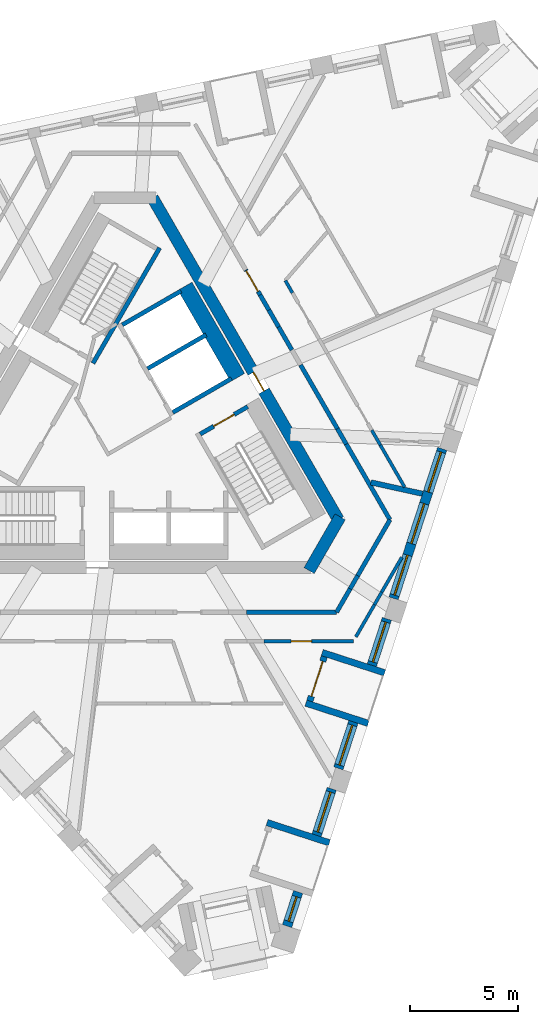
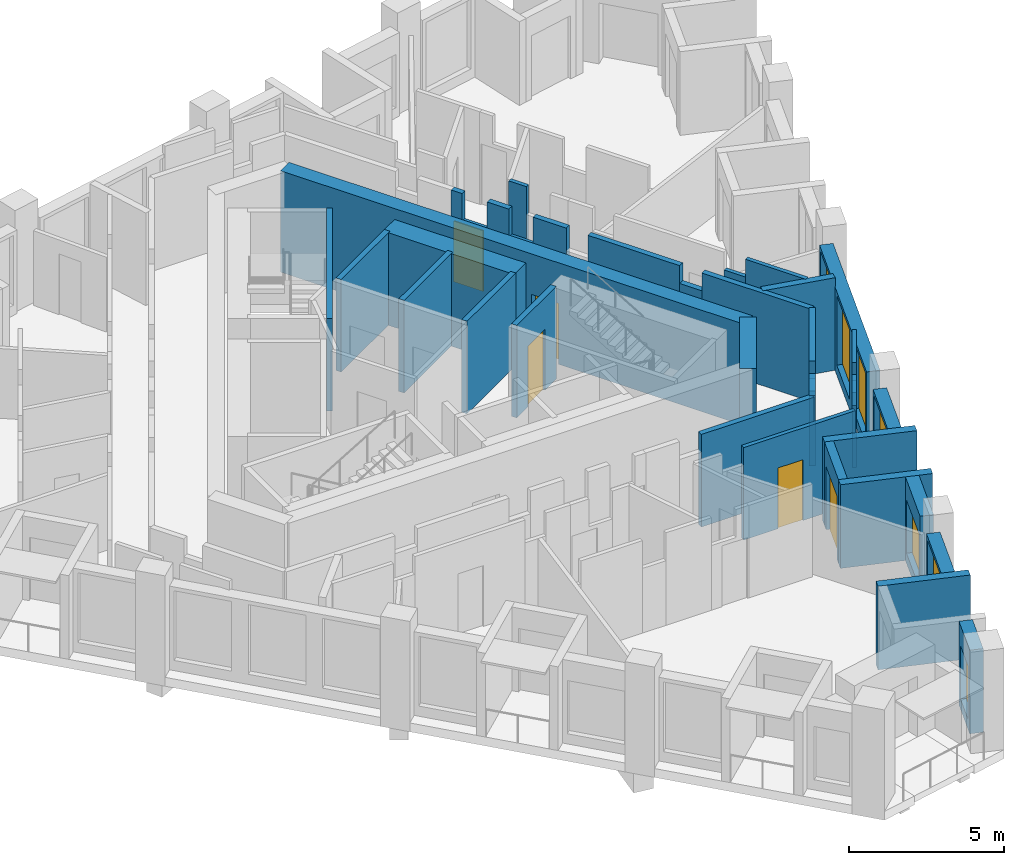
# One storey, part 5 of 12: 36 walls, 7 windows, 5 doors, 12 openings.
"""IFC4 building model written with IfcOpenShell, lengths in metres."""

from ifc_helpers import new_model, si_unit, direction, frame, frame_2d, origin, place, context, subcontext, project, spatial, polyline, rectangle, outline, extrude, material, layer, layer_set, type_object, element, fill, save


model = new_model("IFC4")

# Units and contexts
model_context = context("Model", 3, precision=1e-05, world=origin(), true_north=direction((0.0, 1.0)))
body_context = subcontext(model_context, "Body", "Model", "MODEL_VIEW")
ifc_project = project(units=[si_unit("LENGTHUNIT", "METRE"), si_unit("AREAUNIT", "SQUARE_METRE"), si_unit("VOLUMEUNIT", "CUBIC_METRE"), si_unit("PLANEANGLEUNIT", "RADIAN"), si_unit("MASSUNIT", "GRAM", prefix="KILO")], contexts=[model_context])

# Site, building, storey
site_placement = place(None, origin())
site = spatial("IfcSite", under=ifc_project, at=site_placement, CompositionType="ELEMENT")
building_placement = place(site_placement, origin())
building = spatial("IfcBuilding", under=site, at=building_placement, Name="Tramontana Tower", CompositionType="ELEMENT")
storey_placement = place(building_placement, frame((0.0, 0.0, 320.39990234375)))
storey = spatial("IfcBuildingStorey", under=building, at=storey_placement, Name="L73", CompositionType="ELEMENT", Elevation=320.39990234375)

# Wall
ifc_material_1 = material(Name="Concrete 70 MPa", Category="concrete")
ifc_layer_1 = layer(ifc_material_1, 0.550048828125)
ifc_layer_set_1 = layer_set([ifc_layer_1], Name="Core wall 550 70 MPa")
wall_type_1 = type_object("IfcWallType", Name="Core wall 550 70 MPa", PredefinedType="SHEAR", material=ifc_layer_set_1)
wall_1_placement = place(storey_placement, frame((8.56640625, -6.612548828125, 0.0), z_axis=(0.0, 0.0, 1.0), x_axis=(0.499995765644, 0.866027848477, 0.0)))
element("IfcWall", 1, at=wall_1_placement, inside=storey, type_object=wall_type_1, Name="Core wall C4 L73", PredefinedType="SHEAR", context=body_context, shape_type="SweptSolid", body=[
    extrude(rectangle(XDim=2.88671875, YDim=0.550048828125, at=frame_2d((1.443359375, 0.0))), origin(), (0.0, 0.0, 1.0), 4.0),
])

# Wall, opening, door
wall_2_placement = place(storey_placement, frame((9.930419921875, -4.25, 0.0), z_axis=(0.0, 0.0, 1.0), x_axis=(-0.499994590896, 0.86602852671, 0.0)))
wall_2 = element("IfcWall", 2, at=wall_2_placement, inside=storey, type_object=wall_type_1, Name="Core wall C5 L73", PredefinedType="SHEAR", context=body_context, shape_type="SweptSolid", body=[
    extrude(rectangle(XDim=17.291748046875, YDim=0.550048828125, at=frame_2d((8.64599609375, 0.0))), origin(), (0.0, 0.0, 1.0), 4.0),
])
opening_1_placement = place(wall_2_placement, frame((6.9208984375, 0.0, 0.0)))
opening_1 = element("IfcOpeningElement", 3, at=opening_1_placement, cuts=wall_2, Name="Opening RG3", PredefinedType="OPENING", context=body_context, shape_type="SweptSolid", body=[
    extrude(rectangle(XDim=1.0, YDim=2.39990234375, at=frame_2d((0.5, 1.199951171875))), frame((0.0, 0.284912109375, 0.0), z_axis=(0.0, -1.0, 0.0), x_axis=(1.0, 0.0, 0.0)), (0.0, 0.0, 1.0), 0.570068359375),
])
ifc_material_2 = material(Name="Painted steel", Category="steel")
door_type_1 = type_object("IfcDoorType", Name="RING DOOR 1000", OperationType="SINGLE_SWING_LEFT", PredefinedType="DOOR", material=ifc_material_2)
door_1_placement = place(opening_1_placement, origin())
door_1 = element("IfcDoor", 4, at=door_1_placement, inside=storey, type_object=door_type_1, Name="Door RG3", OperationType="SINGLE_SWING_LEFT", OverallHeight=2.39990234375, OverallWidth=1.0, PredefinedType="DOOR", context=body_context, shape_type="SweptSolid", body=[
    extrude(rectangle(XDim=1.0, YDim=2.39990234375, at=frame_2d((0.5, 1.199951171875))), frame((0.0, 0.02490234375, 0.0), z_axis=(0.0, -1.0, 0.0), x_axis=(1.0, 0.0, 0.0)), (0.0, 0.0, 1.0), 0.050048828125),
])
fill(opening_1, door_1)

# Walls
ifc_material_3 = material(Name="Blockwork", Category="masonry")
ifc_layer_2 = layer(ifc_material_3, 0.199951171875)
ifc_layer_set_2 = layer_set([ifc_layer_2], Name="ENTRY WALL 200")
wall_type_2 = type_object("IfcWallType", Name="ENTRY WALL 200", PredefinedType="SOLIDWALL", material=ifc_layer_set_2)
wall_3_placement = place(storey_placement, frame((12.326416015625, -4.25, 0.0), z_axis=(0.0, 0.0, 1.0), x_axis=(-0.500003959331, -0.866023117852, 0.0)))
element("IfcWall", 5, at=wall_3_placement, inside=storey, type_object=wall_type_2, Name="Wall v80-ew0-0", PredefinedType="SOLIDWALL", context=body_context, shape_type="SweptSolid", body=[
    extrude(rectangle(XDim=3.0029296875, YDim=0.199951171875, at=frame_2d((1.50146484375, 0.0))), origin(), (0.0, 0.0, 1.0), 3.650146484375),
])
wall_4_placement = place(storey_placement, frame((10.824951171875, -6.8505859375, 0.0), z_axis=(0.0, 0.0, 1.0), x_axis=(-0.500144223137, -0.865942120504, 0.0)))
element("IfcWall", 6, at=wall_4_placement, inside=storey, type_object=wall_type_2, Name="Wall v80-ew0-1", PredefinedType="SOLIDWALL", context=body_context, shape_type="SweptSolid", body=[
    extrude(rectangle(XDim=0.701416015625, YDim=0.199951171875, at=frame_2d((0.3505859375, 0.0))), origin(), (0.0, 0.0, 1.0), 2.9501953125),
])
wall_5_placement = place(storey_placement, frame((10.47412109375, -7.4580078125, 0.0), z_axis=(0.0, 0.0, 1.0), x_axis=(-0.499929168788, -0.866066294342, 0.0)))
element("IfcWall", 7, at=wall_5_placement, inside=storey, type_object=wall_type_2, Name="Wall v80-ew0-2", PredefinedType="SOLIDWALL", context=body_context, shape_type="SweptSolid", body=[
    extrude(rectangle(XDim=1.260986328125, YDim=0.199951171875, at=frame_2d((0.63037109375, 0.0))), origin(), (0.0, 0.0, 1.0), 3.650146484375),
])
wall_6_placement = place(storey_placement, frame((9.84375, -8.550048828125, 0.0), z_axis=(0.0, 0.0, 1.0), x_axis=(-1.0, 0.0, 0.0)))
element("IfcWall", 8, at=wall_6_placement, inside=storey, type_object=wall_type_2, Name="Wall v80-ew1-0", PredefinedType="SOLIDWALL", context=body_context, shape_type="SweptSolid", body=[
    extrude(rectangle(XDim=4.1943359375, YDim=0.199951171875, at=frame_2d((2.09716796875, 0.0))), origin(), (0.0, 0.0, 1.0), 3.650146484375),
])

# Wall, opening, door
wall_7_placement = place(storey_placement, frame((5.61767578125, 7.369873046875, 0.0), z_axis=(0.0, 0.0, 1.0), x_axis=(0.500005339912, -0.866022320763, 0.0)))
wall_7 = element("IfcWall", 9, at=wall_7_placement, inside=storey, type_object=wall_type_2, Name="Wall v80-ew5-3", PredefinedType="SOLIDWALL", context=body_context, shape_type="SweptSolid", body=[
    extrude(outline(polyline([(0.0, 0.0), (1.3447265625, 0.0), (1.3447265625, 2.550048828125), (0.40087890625, 2.550048828125), (0.40087890625, 3.650146484375), (0.0, 3.650146484375), (0.0, 0.0)])), frame((0.0, 0.10009765625, 0.0), z_axis=(0.0, -1.0, 0.0), x_axis=(1.0, 0.0, 0.0)), (0.0, 0.0, 1.0), 0.199951171875),
])
opening_2_placement = place(wall_7_placement, frame((0.050048828125, 0.0, 0.0)))
opening_2 = element("IfcOpeningElement", 10, at=opening_2_placement, cuts=wall_7, Name="Opening B8A-21", PredefinedType="OPENING", context=body_context, shape_type="SweptSolid", body=[
    extrude(rectangle(XDim=1.10009765625, YDim=2.39990234375, at=frame_2d((0.550048828125, 1.199951171875))), frame((0.0, 0.10986328125, 0.0), z_axis=(0.0, -1.0, 0.0), x_axis=(1.0, 0.0, 0.0)), (0.0, 0.0, 1.0), 0.219970703125),
])
ifc_material_4 = material(Name="Painted timber", Category="wood")
door_type_2 = type_object("IfcDoorType", Name="DOOR ENTRY 1100", OperationType="SINGLE_SWING_LEFT", PredefinedType="DOOR", material=ifc_material_4)
door_2_placement = place(opening_2_placement, origin())
door_2 = element("IfcDoor", 11, at=door_2_placement, inside=storey, type_object=door_type_2, Name="Door B8A-21", OperationType="SINGLE_SWING_LEFT", OverallHeight=2.39990234375, OverallWidth=1.10009765625, PredefinedType="DOOR", context=body_context, shape_type="SweptSolid", body=[
    extrude(rectangle(XDim=1.10009765625, YDim=2.39990234375, at=frame_2d((0.550048828125, 1.199951171875))), frame((0.0, 0.02490234375, 0.0), z_axis=(0.0, -1.0, 0.0), x_axis=(1.0, 0.0, 0.0)), (0.0, 0.0, 1.0), 0.050048828125),
])
fill(opening_2, door_2)

# Walls
wall_8_placement = place(storey_placement, frame((6.2900390625, 6.205322265625, 0.0), z_axis=(0.0, 0.0, 1.0), x_axis=(0.500045602705, -0.86599907345, 0.0)))
element("IfcWall", 12, at=wall_8_placement, inside=storey, type_object=wall_type_2, Name="Wall v80-ew5-4", PredefinedType="SOLIDWALL", context=body_context, shape_type="SweptSolid", body=[
    extrude(rectangle(XDim=0.806640625, YDim=0.199951171875, at=frame_2d((0.4033203125, 0.0))), origin(), (0.0, 0.0, 1.0), 3.650146484375),
])
wall_9_placement = place(storey_placement, frame((6.693359375, 5.5068359375, 0.0), z_axis=(0.0, 0.0, 1.0), x_axis=(0.499994660107, -0.866028486751, 0.0)))
element("IfcWall", 13, at=wall_9_placement, inside=storey, type_object=wall_type_2, Name="Wall v80-ew5-5", PredefinedType="SOLIDWALL", context=body_context, shape_type="SweptSolid", body=[
    extrude(rectangle(XDim=0.90576171875, YDim=0.199951171875, at=frame_2d((0.452880859375, 0.0))), origin(), (0.0, 0.0, 1.0), 2.550048828125),
])
wall_10_placement = place(storey_placement, frame((7.146240234375, 4.722412109375, 0.0), z_axis=(0.0, 0.0, 1.0), x_axis=(0.499955681623, -0.866050989499, 0.0)))
element("IfcWall", 14, at=wall_10_placement, inside=storey, type_object=wall_type_2, Name="Wall v80-ew5-6", PredefinedType="SOLIDWALL", context=body_context, shape_type="SweptSolid", body=[
    extrude(rectangle(XDim=1.23828125, YDim=0.199951171875, at=frame_2d((0.619140625, 0.0))), origin(), (0.0, 0.0, 1.0), 3.650146484375),
])
wall_11_placement = place(storey_placement, frame((8.1689453125, 2.951171875, 0.0), z_axis=(0.0, 0.0, 1.0), x_axis=(0.499959115548, -0.866049007147, 0.0)))
element("IfcWall", 15, at=wall_11_placement, inside=storey, type_object=wall_type_2, Name="Wall v80-ew5-8", PredefinedType="SOLIDWALL", context=body_context, shape_type="SweptSolid", body=[
    extrude(rectangle(XDim=3.423095703125, YDim=0.199951171875, at=frame_2d((1.71142578125, 0.0))), origin(), (0.0, 0.0, 1.0), 3.650146484375),
])
wall_12_placement = place(storey_placement, frame((9.88037109375, -0.013427734375, 0.0), z_axis=(0.0, 0.0, 1.0), x_axis=(0.499952654668, -0.866052736899, 0.0)))
element("IfcWall", 16, at=wall_12_placement, inside=storey, type_object=wall_type_2, Name="Wall v80-ew5-9", PredefinedType="SOLIDWALL", context=body_context, shape_type="SweptSolid", body=[
    extrude(rectangle(XDim=0.826171875, YDim=0.199951171875, at=frame_2d((0.4130859375, 0.0))), origin(), (0.0, 0.0, 1.0), 2.9501953125),
])
wall_13_placement = place(storey_placement, frame((10.29345703125, -0.72900390625, 0.0), z_axis=(0.0, 0.0, 1.0), x_axis=(0.50002046505, -0.86601358796, 0.0)))
element("IfcWall", 17, at=wall_13_placement, inside=storey, type_object=wall_type_2, Name="Wall v80-ew5-10", PredefinedType="SOLIDWALL", context=body_context, shape_type="SweptSolid", body=[
    extrude(rectangle(XDim=4.065673828125, YDim=0.199951171875, at=frame_2d((2.03271484375, 0.0))), origin(), (0.0, 0.0, 1.0), 3.650146484375),
])

# Wall, opening, window
ifc_material_5 = material(Name="Precast concrete 60 MPa", Category="concrete")
ifc_layer_3 = layer(ifc_material_5, 0.449951171875)
ifc_layer_set_3 = layer_set([ifc_layer_3], Name="Precast concrete 60 MPa, 450 mm")
wall_type_3 = type_object("IfcWallType", Name="EW1 Stone-faced precast wall 450", PredefinedType="SOLIDWALL", material=ifc_layer_set_3)
wall_14_placement = place(storey_placement, frame((7.541015625, -23.14794921875, 0.0), z_axis=(0.0, 0.0, 1.0), x_axis=(0.308944042168, 0.951080216811, 0.0)))
wall_14 = element("IfcWall", 18, at=wall_14_placement, inside=storey, type_object=wall_type_3, Name="External wall L73 face 1 bay 1", PredefinedType="SOLIDWALL", context=body_context, shape_type="SweptSolid", body=[
    extrude(rectangle(XDim=1.67138671875, YDim=0.449951171875, at=frame_2d((0.835693359375, 0.0))), origin(), (0.0, 0.0, 1.0), 3.300048828125),
])
opening_3_placement = place(wall_14_placement, frame((0.235595703125, 0.0, 0.39990234375)))
opening_3 = element("IfcOpeningElement", 19, at=opening_3_placement, cuts=wall_14, Name="Opening N3L", PredefinedType="OPENING", context=body_context, shape_type="SweptSolid", body=[
    extrude(rectangle(XDim=1.199951171875, YDim=2.10009765625, at=frame_2d((0.60009765625, 1.050048828125))), frame((0.0, 0.23486328125, 0.0), z_axis=(0.0, -1.0, 0.0), x_axis=(1.0, 0.0, 0.0)), (0.0, 0.0, 1.0), 0.469970703125),
])
ifc_material_6 = material(Name="Aluminum frame, double glazing unit", Category="aluminium")
window_type_1 = type_object("IfcWindowType", Name="N3L Window 1.2 x 2.1", PartitioningType="SINGLE_PANEL", PredefinedType="WINDOW", material=ifc_material_6)
window_1_placement = place(opening_3_placement, origin())
window_1 = element("IfcWindow", 20, at=window_1_placement, inside=storey, type_object=window_type_1, Name="Window N3L L73 face 1 module 1", OverallHeight=2.10009765625, OverallWidth=1.199951171875, PartitioningType="SINGLE_PANEL", PredefinedType="WINDOW", context=body_context, shape_type="SweptSolid", body=[
    extrude(rectangle(XDim=1.199951171875, YDim=2.10009765625, at=frame_2d((0.60009765625, 1.050048828125))), frame((0.0, 0.030029296875, 0.0), z_axis=(0.0, -1.0, 0.0), x_axis=(1.0, 0.0, 0.0)), (0.0, 0.0, 1.0), 0.06005859375),
])
fill(opening_3, window_1)

wall_15_placement = place(storey_placement, frame((8.913818359375, -18.922607421875, 0.0), z_axis=(0.0, 0.0, 1.0), x_axis=(0.309059334219, 0.951042758204, 0.0)))
wall_15 = element("IfcWall", 21, at=wall_15_placement, inside=storey, type_object=wall_type_3, Name="External wall L73 face 1 bay 1", PredefinedType="SOLIDWALL", context=body_context, shape_type="SweptSolid", body=[
    extrude(rectangle(XDim=2.27099609375, YDim=0.449951171875, at=frame_2d((1.135498046875, 0.0))), origin(), (0.0, 0.0, 1.0), 3.300048828125),
])
opening_4_placement = place(wall_15_placement, frame((0.16064453125, 0.0, 0.39990234375)))
opening_4 = element("IfcOpeningElement", 22, at=opening_4_placement, cuts=wall_15, Name="Opening M3", PredefinedType="OPENING", context=body_context, shape_type="SweptSolid", body=[
    extrude(rectangle(XDim=1.949951171875, YDim=2.75, at=frame_2d((0.97509765625, 1.375))), frame((0.0, 0.23486328125, 0.0), z_axis=(0.0, -1.0, 0.0), x_axis=(1.0, 0.0, 0.0)), (0.0, 0.0, 1.0), 0.469970703125),
])
ifc_material_7 = material(Name="Aluminum frame, double glazing unit", Category="aluminium")
window_type_2 = type_object("IfcWindowType", Name="M3 Window 1.95 x 2.75", PartitioningType="SINGLE_PANEL", PredefinedType="WINDOW", material=ifc_material_7)
window_2_placement = place(opening_4_placement, origin())
window_2 = element("IfcWindow", 23, at=window_2_placement, inside=storey, type_object=window_type_2, Name="Window M3 L73 face 1 module 3", OverallHeight=2.75, OverallWidth=1.949951171875, PartitioningType="SINGLE_PANEL", PredefinedType="WINDOW", context=body_context, shape_type="SweptSolid", body=[
    extrude(rectangle(XDim=1.949951171875, YDim=2.75, at=frame_2d((0.97509765625, 1.375))), frame((0.0, 0.030029296875, 0.0), z_axis=(0.0, -1.0, 0.0), x_axis=(1.0, 0.0, 0.0)), (0.0, 0.0, 1.0), 0.06005859375),
])
fill(opening_4, window_2)

wall_16_placement = place(storey_placement, frame((9.9248046875, -15.8115234375, 0.0), z_axis=(0.0, 0.0, 1.0), x_axis=(0.308930512416, 0.95108461164, 0.0)))
wall_16 = element("IfcWall", 24, at=wall_16_placement, inside=storey, type_object=wall_type_3, Name="External wall L73 face 1 bay 2", PredefinedType="SOLIDWALL", context=body_context, shape_type="SweptSolid", body=[
    extrude(rectangle(XDim=2.271240234375, YDim=0.449951171875, at=frame_2d((1.1357421875, 0.0))), origin(), (0.0, 0.0, 1.0), 3.300048828125),
])
opening_5_placement = place(wall_16_placement, frame((0.16064453125, 0.0, 0.39990234375)))
opening_5 = element("IfcOpeningElement", 25, at=opening_5_placement, cuts=wall_16, Name="Opening M3L", PredefinedType="OPENING", context=body_context, shape_type="SweptSolid", body=[
    extrude(rectangle(XDim=1.949951171875, YDim=2.10009765625, at=frame_2d((0.97509765625, 1.050048828125))), frame((0.0, 0.23486328125, 0.0), z_axis=(0.0, -1.0, 0.0), x_axis=(1.0, 0.0, 0.0)), (0.0, 0.0, 1.0), 0.469970703125),
])
ifc_material_8 = material(Name="Aluminum frame, double glazing unit", Category="aluminium")
window_type_3 = type_object("IfcWindowType", Name="M3L Window 1.95 x 2.1", PartitioningType="SINGLE_PANEL", PredefinedType="WINDOW", material=ifc_material_8)
window_3_placement = place(opening_5_placement, origin())
window_3 = element("IfcWindow", 26, at=window_3_placement, inside=storey, type_object=window_type_3, Name="Window M3L L73 face 1 module 4", OverallHeight=2.10009765625, OverallWidth=1.949951171875, PartitioningType="SINGLE_PANEL", PredefinedType="WINDOW", context=body_context, shape_type="SweptSolid", body=[
    extrude(rectangle(XDim=1.949951171875, YDim=2.10009765625, at=frame_2d((0.97509765625, 1.050048828125))), frame((0.0, 0.030029296875, 0.0), z_axis=(0.0, -1.0, 0.0), x_axis=(1.0, 0.0, 0.0)), (0.0, 0.0, 1.0), 0.06005859375),
])
fill(opening_5, window_3)

wall_17_placement = place(storey_placement, frame((11.48291015625, -11.015869140625, 0.0), z_axis=(0.0, 0.0, 1.0), x_axis=(0.309027740273, 0.951053024674, 0.0)))
wall_17 = element("IfcWall", 27, at=wall_17_placement, inside=storey, type_object=wall_type_3, Name="External wall L73 face 1 bay 2", PredefinedType="SOLIDWALL", context=body_context, shape_type="SweptSolid", body=[
    extrude(rectangle(XDim=2.271240234375, YDim=0.449951171875, at=frame_2d((1.1357421875, 0.0))), origin(), (0.0, 0.0, 1.0), 3.300048828125),
])
opening_6_placement = place(wall_17_placement, frame((0.16064453125, 0.0, 0.39990234375)))
opening_6 = element("IfcOpeningElement", 28, at=opening_6_placement, cuts=wall_17, Name="Opening M3", PredefinedType="OPENING", context=body_context, shape_type="SweptSolid", body=[
    extrude(rectangle(XDim=1.949951171875, YDim=2.75, at=frame_2d((0.97509765625, 1.375))), frame((0.0, 0.23486328125, 0.0), z_axis=(0.0, -1.0, 0.0), x_axis=(1.0, 0.0, 0.0)), (0.0, 0.0, 1.0), 0.469970703125),
])
window_4_placement = place(opening_6_placement, origin())
window_4 = element("IfcWindow", 29, at=window_4_placement, inside=storey, type_object=window_type_2, Name="Window M3 L73 face 1 module 6", OverallHeight=2.75, OverallWidth=1.949951171875, PartitioningType="SINGLE_PANEL", PredefinedType="WINDOW", context=body_context, shape_type="SweptSolid", body=[
    extrude(rectangle(XDim=1.949951171875, YDim=2.75, at=frame_2d((0.97509765625, 1.375))), frame((0.0, 0.030029296875, 0.0), z_axis=(0.0, -1.0, 0.0), x_axis=(1.0, 0.0, 0.0)), (0.0, 0.0, 1.0), 0.06005859375),
])
fill(opening_6, window_4)

# Wall, openings, windows
wall_18_placement = place(storey_placement, frame((12.493896484375, -7.904541015625, 0.0), z_axis=(0.0, 0.0, 1.0), x_axis=(0.309008326872, 0.951059332494, 0.0)))
wall_18 = element("IfcWall", 30, at=wall_18_placement, inside=storey, type_object=wall_type_3, Name="External wall L73 face 1 bay 3", PredefinedType="SOLIDWALL", context=body_context, shape_type="SweptSolid", body=[
    extrude(rectangle(XDim=7.313720703125, YDim=0.449951171875, at=frame_2d((3.65673828125, 0.0))), origin(), (0.0, 0.0, 1.0), 3.300048828125),
])
opening_7_placement = place(wall_18_placement, frame((0.16064453125, 0.0, 0.39990234375)))
opening_7 = element("IfcOpeningElement", 31, at=opening_7_placement, cuts=wall_18, Name="Opening M3", PredefinedType="OPENING", context=body_context, shape_type="SweptSolid", body=[
    extrude(rectangle(XDim=1.949951171875, YDim=2.75, at=frame_2d((0.97509765625, 1.375))), frame((0.0, 0.23486328125, 0.0), z_axis=(0.0, -1.0, 0.0), x_axis=(1.0, 0.0, 0.0)), (0.0, 0.0, 1.0), 0.469970703125),
])
opening_8_placement = place(wall_18_placement, frame((2.681884765625, 0.0, 0.39990234375)))
opening_8 = element("IfcOpeningElement", 32, at=opening_8_placement, cuts=wall_18, Name="Opening M3", PredefinedType="OPENING", context=body_context, shape_type="SweptSolid", body=[
    extrude(rectangle(XDim=1.949951171875, YDim=2.75, at=frame_2d((0.97509765625, 1.375))), frame((0.0, 0.23486328125, 0.0), z_axis=(0.0, -1.0, 0.0), x_axis=(1.0, 0.0, 0.0)), (0.0, 0.0, 1.0), 0.469970703125),
])
opening_9_placement = place(wall_18_placement, frame((5.203125, 0.0, 0.39990234375)))
opening_9 = element("IfcOpeningElement", 33, at=opening_9_placement, cuts=wall_18, Name="Opening M3", PredefinedType="OPENING", context=body_context, shape_type="SweptSolid", body=[
    extrude(rectangle(XDim=1.949951171875, YDim=2.75, at=frame_2d((0.97509765625, 1.375))), frame((0.0, 0.23486328125, 0.0), z_axis=(0.0, -1.0, 0.0), x_axis=(1.0, 0.0, 0.0)), (0.0, 0.0, 1.0), 0.469970703125),
])
window_5_placement = place(opening_7_placement, origin())
window_5 = element("IfcWindow", 34, at=window_5_placement, inside=storey, type_object=window_type_2, Name="Window M3 L73 face 1 module 7", OverallHeight=2.75, OverallWidth=1.949951171875, PartitioningType="SINGLE_PANEL", PredefinedType="WINDOW", context=body_context, shape_type="SweptSolid", body=[
    extrude(rectangle(XDim=1.949951171875, YDim=2.75, at=frame_2d((0.97509765625, 1.375))), frame((0.0, 0.030029296875, 0.0), z_axis=(0.0, -1.0, 0.0), x_axis=(1.0, 0.0, 0.0)), (0.0, 0.0, 1.0), 0.06005859375),
])
fill(opening_7, window_5)
window_6_placement = place(opening_8_placement, origin())
window_6 = element("IfcWindow", 35, at=window_6_placement, inside=storey, type_object=window_type_2, Name="Window M3 L73 face 1 module 8", OverallHeight=2.75, OverallWidth=1.949951171875, PartitioningType="SINGLE_PANEL", PredefinedType="WINDOW", context=body_context, shape_type="SweptSolid", body=[
    extrude(rectangle(XDim=1.949951171875, YDim=2.75, at=frame_2d((0.97509765625, 1.375))), frame((0.0, 0.030029296875, 0.0), z_axis=(0.0, -1.0, 0.0), x_axis=(1.0, 0.0, 0.0)), (0.0, 0.0, 1.0), 0.06005859375),
])
fill(opening_8, window_6)
window_7_placement = place(opening_9_placement, origin())
window_7 = element("IfcWindow", 36, at=window_7_placement, inside=storey, type_object=window_type_2, Name="Window M3 L73 face 1 module 9", OverallHeight=2.75, OverallWidth=1.949951171875, PartitioningType="SINGLE_PANEL", PredefinedType="WINDOW", context=body_context, shape_type="SweptSolid", body=[
    extrude(rectangle(XDim=1.949951171875, YDim=2.75, at=frame_2d((0.97509765625, 1.375))), frame((0.0, 0.030029296875, 0.0), z_axis=(0.0, -1.0, 0.0), x_axis=(1.0, 0.0, 0.0)), (0.0, 0.0, 1.0), 0.06005859375),
])
fill(opening_9, window_7)

# Wall
ifc_material_9 = material(Name="Precast concrete 60 MPa", Category="concrete")
ifc_layer_4 = layer(ifc_material_9, 0.300048828125)
ifc_layer_set_4 = layer_set([ifc_layer_4], Name="LW1 Stone-faced loggia wall 300")
wall_type_4 = type_object("IfcWallType", Name="LW1 Stone-faced loggia wall 300", PredefinedType="SOLIDWALL", material=ifc_layer_set_4)
wall_19_placement = place(storey_placement, frame((9.509521484375, -19.27392578125, 0.0), z_axis=(0.0, 0.0, 1.0), x_axis=(-0.951072883748, 0.308966615996, 0.0)))
element("IfcWall", 37, at=wall_19_placement, inside=storey, type_object=wall_type_4, Name="Loggia return L73 G8S1.1b", PredefinedType="SOLIDWALL", context=body_context, shape_type="SweptSolid", body=[
    extrude(rectangle(XDim=3.050048828125, YDim=0.300048828125, at=frame_2d((1.52490234375, 0.0))), origin(), (0.0, 0.0, 1.0), 3.300048828125),
])

# Wall, opening, door
wall_20_placement = place(storey_placement, frame((8.603271484375, -12.678466796875, 0.0), z_axis=(0.0, 0.0, 1.0), x_axis=(0.308999623589, 0.95106216023, 0.0)))
wall_20 = element("IfcWall", 38, at=wall_20_placement, inside=storey, type_object=wall_type_4, Name="Loggia wall L73 G8S1.4", PredefinedType="SOLIDWALL", context=body_context, shape_type="SweptSolid", body=[
    extrude(rectangle(XDim=2.171142578125, YDim=0.300048828125, at=frame_2d((1.08544921875, 0.0))), origin(), (0.0, 0.0, 1.0), 3.300048828125),
])
opening_10_placement = place(wall_20_placement, frame((0.235595703125, 0.0, 0.0)))
opening_10 = element("IfcOpeningElement", 39, at=opening_10_placement, cuts=wall_20, Name="Opening BD-8S1-04", PredefinedType="OPENING", context=body_context, shape_type="SweptSolid", body=[
    extrude(rectangle(XDim=1.699951171875, YDim=2.5, at=frame_2d((0.85009765625, 1.25))), frame((0.0, 0.159912109375, 0.0), z_axis=(0.0, -1.0, 0.0), x_axis=(1.0, 0.0, 0.0)), (0.0, 0.0, 1.0), 0.320068359375),
])
ifc_material_10 = material(Name="Aluminum frame, double glazing unit", Category="aluminium")
door_type_3 = type_object("IfcDoorType", Name="BD3 Sliding door 1.7 x 2.5", OperationType="SLIDING_TO_LEFT", PredefinedType="DOOR", material=ifc_material_10)
door_3_placement = place(opening_10_placement, origin())
door_3 = element("IfcDoor", 40, at=door_3_placement, inside=storey, type_object=door_type_3, Name="Loggia door L73 G8S1.4", OperationType="SLIDING_TO_LEFT", OverallHeight=2.5, OverallWidth=1.699951171875, PredefinedType="DOOR", context=body_context, shape_type="SweptSolid", body=[
    extrude(rectangle(XDim=1.699951171875, YDim=2.5, at=frame_2d((0.85009765625, 1.25))), frame((0.0, 0.02490234375, 0.0), z_axis=(0.0, -1.0, 0.0), x_axis=(1.0, 0.0, 0.0)), (0.0, 0.0, 1.0), 0.050048828125),
])
fill(opening_10, door_3)

# Walls
for number, where, z_axis, x_axis, name in (
    (41, (11.31494140625, -13.71728515625, 0.0), (0.0, 0.0, 1.0), (-0.951072883748, 0.308966615996, 0.0), "Loggia return L73 G8S1.4a"),
    (42, (12.07861328125, -11.366943359375, 0.0), (0.0, 0.0, 1.0), (-0.951072883748, 0.308966615996, 0.0), "Loggia return L73 G8S1.4b"),
):
    element("IfcWall", number, at=place(storey_placement, frame(where, z_axis=z_axis, x_axis=x_axis)), inside=storey, type_object=wall_type_4, Name=name, PredefinedType="SOLIDWALL", context=body_context, shape_type="SweptSolid", body=[
        extrude(rectangle(XDim=3.050048828125, YDim=0.300048828125, at=frame_2d((1.52490234375, 0.0))), origin(), (0.0, 0.0, 1.0), 3.300048828125),
    ])
ifc_material_11 = material(Name="Gypsum board partition")
ifc_layer_5 = layer(ifc_material_11, 0.14990234375)
ifc_layer_set_5 = layer_set([ifc_layer_5], Name="PARTITION 150")
wall_type_5 = type_object("IfcWallType", Name="PARTITION 150", PredefinedType="PARTITIONING", material=ifc_layer_set_5)
wall_21_placement = place(storey_placement, frame((7.4619140625, 6.875732421875, 0.0), z_axis=(0.0, 0.0, 1.0), x_axis=(0.499914360624, -0.866074842056, 0.0)))
element("IfcWall", 43, at=wall_21_placement, inside=storey, type_object=wall_type_5, Name="Wall v80-pw25-0", PredefinedType="PARTITIONING", context=body_context, shape_type="SweptSolid", body=[
    extrude(rectangle(XDim=0.66064453125, YDim=0.14990234375, at=frame_2d((0.330322265625, 0.0))), origin(), (0.0, 0.0, 1.0), 3.650146484375),
])
wall_22_placement = place(storey_placement, frame((11.48046875, -0.084716796875, 0.0), z_axis=(0.0, 0.0, 1.0), x_axis=(0.499961121316, -0.86604784924, 0.0)))
element("IfcWall", 44, at=wall_22_placement, inside=storey, type_object=wall_type_5, Name="Wall v80-pw25-5", PredefinedType="PARTITIONING", context=body_context, shape_type="SweptSolid", body=[
    extrude(rectangle(XDim=0.796875, YDim=0.14990234375, at=frame_2d((0.3984375, 0.0))), origin(), (0.0, 0.0, 1.0), 2.9501953125),
])
wall_23_placement = place(storey_placement, frame((11.87890625, -0.77490234375, 0.0), z_axis=(0.0, 0.0, 1.0), x_axis=(0.50003780229, -0.866003577522, 0.0)))
element("IfcWall", 45, at=wall_23_placement, inside=storey, type_object=wall_type_5, Name="Wall v80-pw25-6", PredefinedType="PARTITIONING", context=body_context, shape_type="SweptSolid", body=[
    extrude(rectangle(XDim=2.256103515625, YDim=0.14990234375, at=frame_2d((1.1279296875, 0.0))), origin(), (0.0, 0.0, 1.0), 3.650146484375),
])

# Wall, opening, door
wall_24_placement = place(storey_placement, frame((10.623291015625, -9.89990234375, 0.0), z_axis=(0.0, 0.0, 1.0), x_axis=(-1.0, 0.0, 0.0)))
wall_24 = element("IfcWall", 46, at=wall_24_placement, inside=storey, type_object=wall_type_5, Name="Wall v80-pw27-0", PredefinedType="PARTITIONING", context=body_context, shape_type="SweptSolid", body=[
    extrude(rectangle(XDim=4.161376953125, YDim=0.14990234375, at=frame_2d((2.08056640625, 0.0))), origin(), (0.0, 0.0, 1.0), 3.650146484375),
])
opening_11_placement = place(wall_24_placement, frame((1.94140625, 0.0, 0.0)))
opening_11 = element("IfcOpeningElement", 47, at=opening_11_placement, cuts=wall_24, Name="Opening B8A-11", PredefinedType="OPENING", context=body_context, shape_type="SweptSolid", body=[
    extrude(rectangle(XDim=0.949951171875, YDim=2.39990234375, at=frame_2d((0.47509765625, 1.199951171875))), frame((0.0, 0.0849609375, 0.0), z_axis=(0.0, -1.0, 0.0), x_axis=(1.0, 0.0, 0.0)), (0.0, 0.0, 1.0), 0.169921875),
])
ifc_material_12 = material(Name="Painted timber", Category="wood")
door_type_4 = type_object("IfcDoorType", Name="DOOR ROOM 950", OperationType="SINGLE_SWING_LEFT", PredefinedType="DOOR", material=ifc_material_12)
door_4_placement = place(opening_11_placement, origin())
door_4 = element("IfcDoor", 48, at=door_4_placement, inside=storey, type_object=door_type_4, Name="Door B8A-11", OperationType="SINGLE_SWING_LEFT", OverallHeight=2.39990234375, OverallWidth=0.949951171875, PredefinedType="DOOR", context=body_context, shape_type="SweptSolid", body=[
    extrude(rectangle(XDim=0.949951171875, YDim=2.39990234375, at=frame_2d((0.47509765625, 1.199951171875))), frame((0.0, 0.02490234375, 0.0), z_axis=(0.0, -1.0, 0.0), x_axis=(1.0, 0.0, 0.0)), (0.0, 0.0, 1.0), 0.050048828125),
])
fill(opening_11, door_4)

# Walls
wall_25_placement = place(storey_placement, frame((12.877685546875, -5.995361328125, 0.0), z_axis=(0.0, 0.0, 1.0), x_axis=(-0.500053707499, -0.865994393525, 0.0)))
element("IfcWall", 49, at=wall_25_placement, inside=storey, type_object=wall_type_5, Name="Wall v80-pw30-0", PredefinedType="PARTITIONING", context=body_context, shape_type="SweptSolid", body=[
    extrude(rectangle(XDim=1.871337890625, YDim=0.14990234375, at=frame_2d((0.935546875, 0.0))), origin(), (0.0, 0.0, 1.0), 3.650146484375),
])
wall_26_placement = place(storey_placement, frame((11.94189453125, -7.615966796875, 0.0), z_axis=(0.0, 0.0, 1.0), x_axis=(-0.499826590014, -0.866125498941, 0.0)))
element("IfcWall", 50, at=wall_26_placement, inside=storey, type_object=wall_type_5, Name="Wall v80-pw30-1", PredefinedType="PARTITIONING", context=body_context, shape_type="SweptSolid", body=[
    extrude(rectangle(XDim=0.676513671875, YDim=0.14990234375, at=frame_2d((0.33837890625, 0.0))), origin(), (0.0, 0.0, 1.0), 2.9501953125),
])
wall_27_placement = place(storey_placement, frame((11.603759765625, -8.201904296875, 0.0), z_axis=(0.0, 0.0, 1.0), x_axis=(-0.499992114976, -0.866029956157, 0.0)))
element("IfcWall", 51, at=wall_27_placement, inside=storey, type_object=wall_type_5, Name="Wall v80-pw30-2", PredefinedType="PARTITIONING", context=body_context, shape_type="SweptSolid", body=[
    extrude(rectangle(XDim=1.72412109375, YDim=0.14990234375, at=frame_2d((0.862060546875, 0.0))), origin(), (0.0, 0.0, 1.0), 3.650146484375),
])
ifc_material_13 = material(Name="Blockwork", Category="masonry")
ifc_layer_6 = layer(ifc_material_13, 0.25)
ifc_layer_set_6 = layer_set([ifc_layer_6], Name="PARTY WALL 250")
wall_type_6 = type_object("IfcWallType", Name="PARTY WALL 250", PredefinedType="SOLIDWALL", material=ifc_layer_set_6)
wall_28_placement = place(storey_placement, frame((11.438720703125, -2.512451171875, 0.0), z_axis=(0.0, 0.0, 1.0), x_axis=(0.976726571075, -0.2144882406, 0.0)))
element("IfcWall", 52, at=wall_28_placement, inside=storey, type_object=wall_type_6, Name="Wall v80-pw28", PredefinedType="SOLIDWALL", context=body_context, shape_type="SweptSolid", body=[
    extrude(rectangle(XDim=2.456298828125, YDim=0.25, at=frame_2d((1.22802734375, 0.0))), origin(), (0.0, 0.0, 1.0), 3.650146484375),
])
ifc_material_14 = material(Name="Concrete 70 MPa", Category="concrete")
ifc_layer_7 = layer(ifc_material_14, 0.75)
ifc_layer_set_7 = layer_set([ifc_layer_7], Name="Concrete 70 MPa, 750 mm")
wall_type_7 = type_object("IfcWallType", Name="RC SHAFT BACK WALL 750", PredefinedType="SOLIDWALL", material=ifc_layer_set_7)
wall_29_placement = place(storey_placement, frame((5.242919921875, 2.368896484375, 0.0), z_axis=(0.0, 0.0, 1.0), x_axis=(-0.500002801628, 0.866023786258, 0.0)))
element("IfcWall", 53, at=wall_29_placement, inside=storey, type_object=wall_type_7, Name="Wall row2-back", PredefinedType="SOLIDWALL", context=body_context, shape_type="SweptSolid", body=[
    extrude(rectangle(XDim=4.89990234375, YDim=0.75, at=frame_2d((2.449951171875, 0.0))), origin(), (0.0, 0.0, 1.0), 3.650146484375),
])
ifc_material_15 = material(Name="Concrete 70 MPa", Category="concrete")
ifc_layer_8 = layer(ifc_material_15, 0.199951171875)
ifc_layer_set_8 = layer_set([ifc_layer_8], Name="Concrete 70 MPa, 200 mm")
wall_type_8 = type_object("IfcWallType", Name="RC STAIR AND SHAFT WALL 200", PredefinedType="SOLIDWALL", material=ifc_layer_set_8)
wall_30_placement = place(storey_placement, frame((1.615234375, 8.3974609375, 0.0), z_axis=(0.0, 0.0, 1.0), x_axis=(-0.500009909098, -0.866019682689, 0.0)))
element("IfcWall", 54, at=wall_30_placement, inside=storey, type_object=wall_type_8, Name="Wall st1-front", PredefinedType="SOLIDWALL", context=body_context, shape_type="SweptSolid", body=[
    extrude(rectangle(XDim=6.199951171875, YDim=0.199951171875, at=frame_2d((3.10009765625, 0.0))), origin(), (0.0, 0.0, 1.0), 3.650146484375),
])

# Wall, opening, door
wall_31_placement = place(storey_placement, frame((3.50146484375, -0.2646484375, 0.0), z_axis=(0.0, 0.0, 1.0), x_axis=(0.866030925526, 0.499990435942, 0.0)))
wall_31 = element("IfcWall", 55, at=wall_31_placement, inside=storey, type_object=wall_type_8, Name="Wall st3-near", PredefinedType="SOLIDWALL", context=body_context, shape_type="SweptSolid", body=[
    extrude(rectangle(XDim=2.5498046875, YDim=0.199951171875, at=frame_2d((1.27490234375, 0.0))), origin(), (0.0, 0.0, 1.0), 3.650146484375),
])
opening_12_placement = place(wall_31_placement, frame((0.72509765625, 0.0, 0.0)))
opening_12 = element("IfcOpeningElement", 56, at=opening_12_placement, cuts=wall_31, Name="Opening SD3", PredefinedType="OPENING", context=body_context, shape_type="SweptSolid", body=[
    extrude(rectangle(XDim=1.10009765625, YDim=2.39990234375, at=frame_2d((0.550048828125, 1.199951171875))), frame((0.0, 0.10986328125, 0.0), z_axis=(0.0, -1.0, 0.0), x_axis=(1.0, 0.0, 0.0)), (0.0, 0.0, 1.0), 0.219970703125),
])
ifc_material_16 = material(Name="Painted steel", Category="steel")
door_type_5 = type_object("IfcDoorType", Name="STAIR DOOR 1100", OperationType="SINGLE_SWING_LEFT", PredefinedType="DOOR", material=ifc_material_16)
door_5_placement = place(opening_12_placement, origin())
door_5 = element("IfcDoor", 57, at=door_5_placement, inside=storey, type_object=door_type_5, Name="Door SD3", OperationType="SINGLE_SWING_RIGHT", OverallHeight=2.39990234375, OverallWidth=1.10009765625, PredefinedType="DOOR", context=body_context, shape_type="SweptSolid", body=[
    extrude(rectangle(XDim=1.10009765625, YDim=2.39990234375, at=frame_2d((0.550048828125, 1.199951171875))), frame((0.0, 0.02490234375, 0.0), z_axis=(0.0, -1.0, 0.0), x_axis=(1.0, 0.0, 0.0)), (0.0, 0.0, 1.0), 0.050048828125),
])
fill(opening_12, door_5)

# Walls
for number, where, z_axis, x_axis, name in (
    (58, (2.226806640625, 0.742919921875, 0.0), (0.0, 0.0, 1.0), (0.866035871367, 0.499981869177, 0.0), "Wall row2-side0"),
    (59, (1.0517578125, 2.778076171875, 0.0), (0.0, 0.0, 1.0), (0.866035871367, 0.499981869177, 0.0), "Wall row2-side1"),
    (60, (-0.123046875, 4.813232421875, 0.0), (0.0, 0.0, 1.0), (0.866016494683, 0.500015430699, 0.0), "Wall row2-side2"),
):
    element("IfcWall", number, at=place(storey_placement, frame(where, z_axis=z_axis, x_axis=x_axis)), inside=storey, type_object=wall_type_8, Name=name, PredefinedType="SOLIDWALL", context=body_context, shape_type="SweptSolid", body=[
        extrude(rectangle(XDim=3.14990234375, YDim=0.199951171875, at=frame_2d((1.574951171875, 0.0))), origin(), (0.0, 0.0, 1.0), 3.650146484375),
    ])

save(model, "model.ifc")
